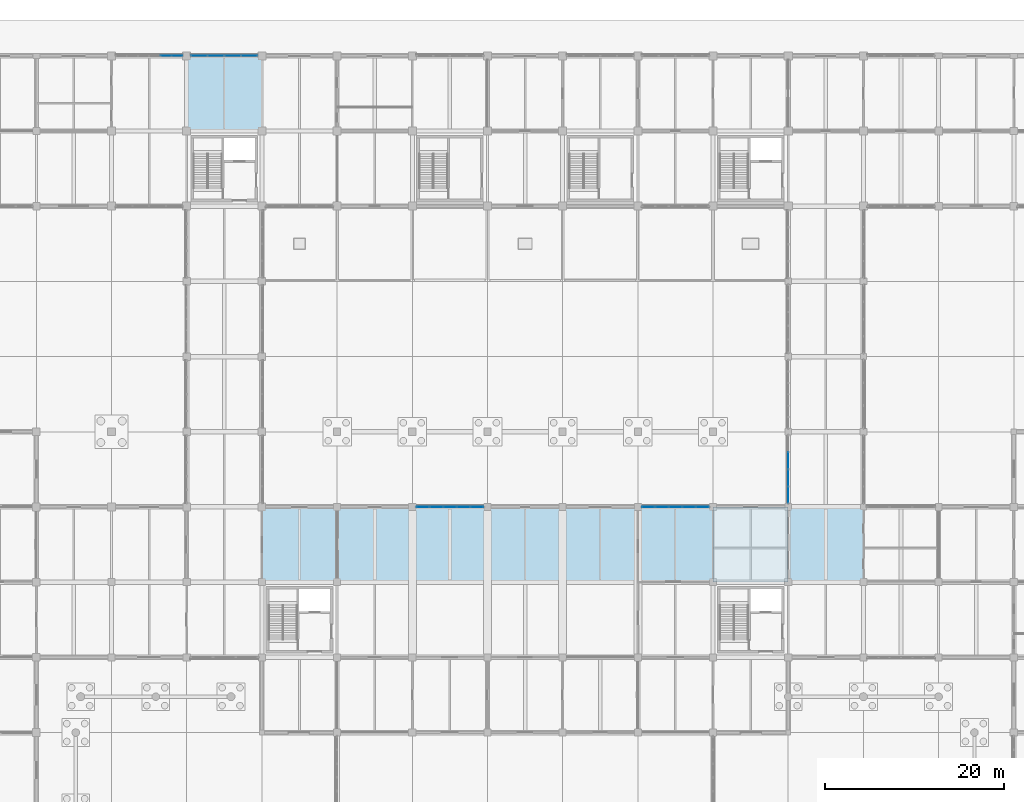
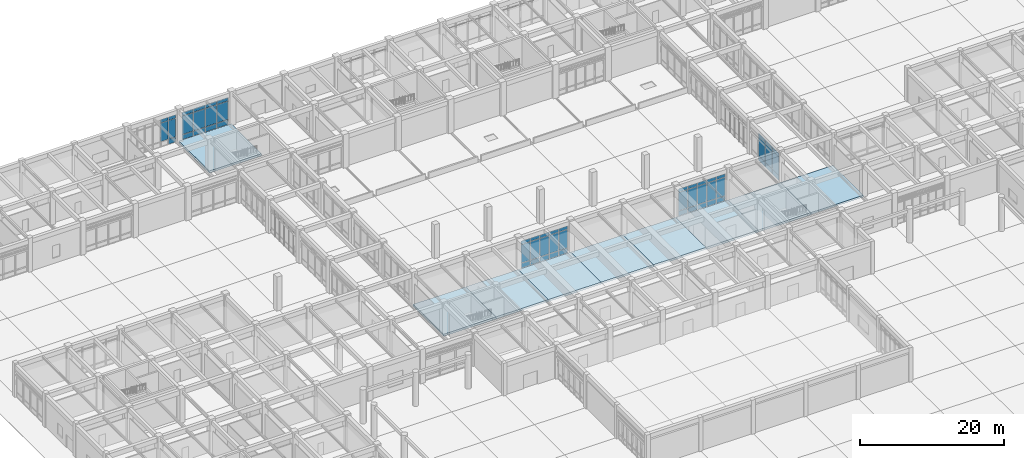
# One storey, part 56 of 91: 56 plates, 9 slabs, 5 elements without a shape of their own.
"""IFC4 building model written with IfcOpenShell, lengths in metres."""

import ifcopenshell
import ifcopenshell.guid

model = None  # the IFC model being written
_history = None  # IfcOwnerHistory: only IFC2X3 demands one
_inside = {}  # id of a spatial element -> (the spatial element, [elements in it])
_under = {}  # id of a project, library or spatial element -> (it, [spatial elements below it])
_declared = {}  # id of a project -> (the project, [libraries it declares])
_typed = {}  # id of a type object -> (the type object, [elements of that type])
_made_of = {}  # id of a material, layer set ... -> (it, [elements and type objects made of it])


def new_model(schema):
    """Start an empty IFC model of exactly this schema.

    Asked for "IFC4X3", IfcOpenShell would pick the latest addendum, in which some entities
    have other attributes; the version numbers below select the first issue.
    IFC2X3 requires an IfcOwnerHistory on every rooted entity: one is made here for all.
    """
    global model, _history
    if schema == "IFC4X3":
        model = ifcopenshell.file(schema_version=(4, 3, 0, 0))
    else:
        model = ifcopenshell.file(schema=schema)
    _inside.clear()
    _under.clear()
    _declared.clear()
    _typed.clear()
    _made_of.clear()
    _history = None
    if model.schema == "IFC2X3":
        org = make("IfcOrganization", Name="unknown")
        user = make(
            "IfcPersonAndOrganization",
            ThePerson=make("IfcPerson", FamilyName="unknown"),
            TheOrganization=org,
        )
        app = make(
            "IfcApplication",
            ApplicationDeveloper=org,
            Version="unknown",
            ApplicationFullName="unknown",
            ApplicationIdentifier="unknown",
        )
        _history = make(
            "IfcOwnerHistory",
            OwningUser=user,
            OwningApplication=app,
            ChangeAction="ADDED",
            CreationDate=0,
        )
    return model


def make(cls, **values):
    """One entity of the class cls with the attributes given. An attribute that is None is left unset."""
    return model.create_entity(
        cls, **{name: value for name, value in values.items() if value is not None}
    )


def rooted(cls, **values):
    """An entity with a GlobalId (a new one), such as an element, a storey or a relation."""
    return make(cls, GlobalId=ifcopenshell.guid.new(), OwnerHistory=_history, **values)


def si_unit(unit_type, name, prefix=None):
    """IfcSIUnit, for example si_unit("LENGTHUNIT", "METRE", prefix="MILLI")."""
    return make("IfcSIUnit", UnitType=unit_type, Prefix=prefix, Name=name)


def assignment(units):
    """IfcUnitAssignment: the units of a project."""
    return None if units is None else make("IfcUnitAssignment", Units=units)


def point(xyz):
    """IfcCartesianPoint."""
    return None if xyz is None else make("IfcCartesianPoint", Coordinates=xyz)


def direction(xyz):
    """IfcDirection."""
    return None if xyz is None else make("IfcDirection", DirectionRatios=xyz)


def frame(location, z_axis=None, x_axis=None):
    """IfcAxis2Placement3D, a coordinate frame: its origin and axes. An axis left out is left unset."""
    return make(
        "IfcAxis2Placement3D",
        Location=point(location),
        Axis=direction(z_axis),
        RefDirection=direction(x_axis),
    )


def frame_2d(location, x_axis=None):
    """IfcAxis2Placement2D, a coordinate frame in the plane: its origin and x axis."""
    return make(
        "IfcAxis2Placement2D", Location=point(location), RefDirection=direction(x_axis)
    )


def origin():
    """The frame at (0, 0, 0) with its axes left unset."""
    return frame((0.0, 0.0, 0.0))


def origin_2d():
    """The frame at (0, 0) in the plane with its x axis left unset."""
    return frame_2d((0.0, 0.0))


def place(relative_to, where):
    """IfcLocalPlacement: puts the frame where relative to a parent placement (None: the world)."""
    return make(
        "IfcLocalPlacement", PlacementRelTo=relative_to, RelativePlacement=where
    )


def context(
    kind, dimensions, precision=None, world=None, true_north=None, identifier=None
):
    """IfcGeometricRepresentationContext, for example the 3D "Model" context."""
    return make(
        "IfcGeometricRepresentationContext",
        ContextIdentifier=identifier,
        ContextType=kind,
        CoordinateSpaceDimension=dimensions,
        Precision=precision,
        WorldCoordinateSystem=world,
        TrueNorth=true_north,
    )


def subcontext(parent, identifier, kind, view, scale=None):
    """IfcGeometricRepresentationSubContext, for example "Body" below "Model"."""
    return make(
        "IfcGeometricRepresentationSubContext",
        ContextIdentifier=identifier,
        ContextType=kind,
        ParentContext=parent,
        TargetScale=scale,
        TargetView=view,
    )


def project(units=None, contexts=None):
    """IfcProject with its units and contexts."""
    return rooted(
        "IfcProject",
        Name="project",
        RepresentationContexts=contexts,
        UnitsInContext=assignment(units),
    )


def spatial(cls, under=None, at=None, **own):
    """A site, building, storey or space (cls), placed at a placement, below another one or the project."""
    s = rooted(cls, ObjectPlacement=at, **own)
    if under is not None:
        _under.setdefault(under.id(), (under, []))[1].append(s)
    return s


def polyline(points):
    """IfcPolyline through the points."""
    return make("IfcPolyline", Points=[point(p) for p in points])


def profile(cls, at=None, kind="AREA", **sizes):
    """A parametric profile (cls). Its sizes go by their IFC names, for example OverallWidth=200.0."""
    return make(cls, ProfileType=kind, Position=at, **sizes)


def rectangle(**sizes):
    """IfcRectangleProfileDef."""
    return profile("IfcRectangleProfileDef", **sizes)


def outline(outer, holes=None, kind="AREA"):
    """IfcArbitraryClosedProfileDef: a profile drawn as a closed curve; with holes, ...WithVoids."""
    if holes is None:
        return make("IfcArbitraryClosedProfileDef", ProfileType=kind, OuterCurve=outer)
    return make(
        "IfcArbitraryProfileDefWithVoids",
        ProfileType=kind,
        OuterCurve=outer,
        InnerCurves=holes,
    )


def extrude(swept, where, along, depth):
    """IfcExtrudedAreaSolid: the profile swept, set in the frame where, extruded along a direction by depth."""
    return make(
        "IfcExtrudedAreaSolid",
        SweptArea=swept,
        Position=where,
        ExtrudedDirection=direction(along),
        Depth=depth,
    )


def shape(context_of_items, identifier, shape_type, items):
    """IfcShapeRepresentation: the items that make up one representation, for example the "Body"."""
    return make(
        "IfcShapeRepresentation",
        ContextOfItems=context_of_items,
        RepresentationIdentifier=identifier,
        RepresentationType=shape_type,
        Items=items,
    )


def material(Name=None, Category=None):
    """IfcMaterial."""
    return make("IfcMaterial", Name=Name, Category=Category)


def layer(
    of_material, thickness, ventilated=None, Name=None, Category=None, Priority=None
):
    """IfcMaterialLayer: one layer of a wall or slab, of a material (None: an air gap)."""
    return make(
        "IfcMaterialLayer",
        Material=of_material,
        LayerThickness=thickness,
        IsVentilated=ventilated,
        Name=Name,
        Category=Category,
        Priority=Priority,
    )


def layer_set(layers, Name=None):
    """IfcMaterialLayerSet."""
    return make("IfcMaterialLayerSet", MaterialLayers=layers, LayerSetName=Name)


def made_of(thing, what):
    """Note that an element or type object is made of a material, layer set ...; save() writes the relation."""
    if what is not None:
        _made_of.setdefault(what.id(), (what, []))[1].append(thing)
    return thing


def type_object(cls, material=None, **own):
    """A type object (cls), such as IfcWallType, which elements share."""
    return made_of(rooted(cls, **own), material)


def element(
    cls,
    number,
    at=None,
    inside=None,
    cuts=None,
    type_object=None,
    material=None,
    context=None,
    identifier="Body",
    shape_type=None,
    held_by="IfcProductDefinitionShape",
    body=None,
    shapes=None,
    **own,
):
    """One element of the class cls, such as IfcWall. Its Tag is "e" and its number.

    at: its placement. inside: the storey or other place that contains it. cuts: it is an
    opening in that element (IfcRelVoidsElement). A single representation is given by context,
    identifier, shape_type and body (its items); several are given by shapes. held_by: the class
    of the entity that holds the representations. save() writes the other relations.
    """
    e = rooted(cls, Tag="e%d" % number, ObjectPlacement=at, **own)
    if body is not None:
        shapes = [shape(context, identifier, shape_type, body)]
    if shapes is not None:
        e.Representation = make(held_by, Representations=shapes)
    if inside is not None:
        _inside.setdefault(inside.id(), (inside, []))[1].append(e)
    if cuts is not None:
        rooted(
            "IfcRelVoidsElement", RelatingBuildingElement=cuts, RelatedOpeningElement=e
        )
    if type_object is not None:
        _typed.setdefault(type_object.id(), (type_object, []))[1].append(e)
    return made_of(e, material)


def aggregate(whole, parts):
    """IfcRelAggregates: a whole, such as a stair, and the parts it consists of."""
    return rooted("IfcRelAggregates", RelatingObject=whole, RelatedObjects=parts)


def save(model, path):
    """Write the relations noted so far, then the file.

    IfcRelAggregates (storeys below a building ...), IfcRelContainedInSpatialStructure (elements
    in a storey), IfcRelDefinesByType, IfcRelAssociatesMaterial and IfcRelDeclares: one each for
    every whole, place, type object, material and project.
    """
    for whole, parts in _under.values():
        aggregate(whole, parts)
    for where, things in _inside.values():
        rooted(
            "IfcRelContainedInSpatialStructure",
            RelatedElements=things,
            RelatingStructure=where,
        )
    for kind, things in _typed.values():
        rooted("IfcRelDefinesByType", RelatedObjects=things, RelatingType=kind)
    for what, things in _made_of.values():
        rooted("IfcRelAssociatesMaterial", RelatedObjects=things, RelatingMaterial=what)
    for by, libraries in _declared.values():
        rooted("IfcRelDeclares", RelatingContext=by, RelatedDefinitions=libraries)
    model.write(path)


model = new_model("IFC4")

# Units and contexts
model_context = context("Model", 3, precision=1e-05, world=origin(), true_north=direction((0.0, 1.0)))
body_context = subcontext(model_context, "Body", "Model", "MODEL_VIEW")
ifc_project = project(units=[si_unit("LENGTHUNIT", "METRE"), si_unit("AREAUNIT", "SQUARE_METRE"), si_unit("VOLUMEUNIT", "CUBIC_METRE"), si_unit("PLANEANGLEUNIT", "RADIAN"), si_unit("MASSUNIT", "GRAM", prefix="KILO")], contexts=[model_context])

# Site, building, storey
site_placement = place(None, origin())
site = spatial("IfcSite", under=ifc_project, at=site_placement, CompositionType="ELEMENT")
building_placement = place(site_placement, origin())
building = spatial("IfcBuilding", under=site, at=building_placement, Name="Porcellanite Civic Hall", CompositionType="ELEMENT")
storey_placement = place(building_placement, origin())
storey = spatial("IfcBuildingStorey", under=building, at=storey_placement, Name="L00", CompositionType="ELEMENT", Elevation=0.0)

# Curtain wall, plates
ifc_material_1 = material(Name="Anodised aluminium and solar laminated glass", Category="aluminium")
ifc_layer_1 = layer(ifc_material_1, 0.179931640625)
ifc_layer_set_1 = layer_set([ifc_layer_1], Name="Anodised aluminium and solar laminated glass")
curtain_wall_type_1 = type_object("IfcCurtainWallType", Name="CW-SYS01", PredefinedType="NOTDEFINED", material=ifc_layer_set_1)
curtain_wall_1_placement = place(storey_placement, origin())
curtain_wall_1 = element("IfcCurtainWall", 1, at=curtain_wall_1_placement, inside=storey, type_object=curtain_wall_type_1, Name="Curtain wall CW-029", PredefinedType="NOTDEFINED")
ifc_material_2 = material(Name="Cyclone laminated solar-control low-E glass", Category="glass")
ifc_layer_2 = layer(ifc_material_2, 0.02392578125)
ifc_layer_set_2 = layer_set([ifc_layer_2], Name="Cyclone laminated solar-control low-E glass")
plate_type_1 = type_object("IfcPlateType", Name="CWP-01", PredefinedType="CURTAIN_PANEL", material=ifc_layer_set_2)
plate_1_placement = place(storey_placement, frame((76.78076171875, 67.199951171875, 0.070068359375), z_axis=(0.0, 0.0, 1.0), x_axis=(1.0, 0.0, 0.0)))
plate_1 = element("IfcPlate", 2, at=plate_1_placement, type_object=plate_type_1, Name="CW-029 panel 1.1", PredefinedType="CURTAIN_PANEL", context=body_context, shape_type="SweptSolid", body=[
    extrude(rectangle(XDim=1.399658203125, YDim=0.02392578125, at=origin_2d()), origin(), (0.0, 0.0, 1.0), 0.794921875),
])
plate_2_placement = place(storey_placement, frame((76.78076171875, 67.199951171875, 0.93505859375), z_axis=(0.0, 0.0, 1.0), x_axis=(1.0, 0.0, 0.0)))
plate_2 = element("IfcPlate", 3, at=plate_2_placement, type_object=plate_type_1, Name="CW-029 panel 1.2", PredefinedType="CURTAIN_PANEL", context=body_context, shape_type="SweptSolid", body=[
    extrude(rectangle(XDim=1.399658203125, YDim=0.02392578125, at=origin_2d()), origin(), (0.0, 0.0, 1.0), 3.080078125),
])
plate_3_placement = place(storey_placement, frame((76.78076171875, 67.199951171875, 4.0849609375), z_axis=(0.0, 0.0, 1.0), x_axis=(1.0, 0.0, 0.0)))
plate_3 = element("IfcPlate", 4, at=plate_3_placement, type_object=plate_type_1, Name="CW-029 panel 1.3", PredefinedType="CURTAIN_PANEL", context=body_context, shape_type="SweptSolid", body=[
    extrude(rectangle(XDim=1.399658203125, YDim=0.02392578125, at=origin_2d()), origin(), (0.0, 0.0, 1.0), 0.544921875),
])
plate_4_placement = place(storey_placement, frame((78.280517578125, 67.199951171875, 0.070068359375), z_axis=(0.0, 0.0, 1.0), x_axis=(1.0, 0.0, 0.0)))
plate_4 = element("IfcPlate", 5, at=plate_4_placement, type_object=plate_type_1, Name="CW-029 panel 2.1", PredefinedType="CURTAIN_PANEL", context=body_context, shape_type="SweptSolid", body=[
    extrude(rectangle(XDim=1.439697265625, YDim=0.02392578125, at=origin_2d()), origin(), (0.0, 0.0, 1.0), 0.794921875),
])
plate_5_placement = place(storey_placement, frame((78.280517578125, 67.199951171875, 0.93505859375), z_axis=(0.0, 0.0, 1.0), x_axis=(1.0, 0.0, 0.0)))
plate_5 = element("IfcPlate", 6, at=plate_5_placement, type_object=plate_type_1, Name="CW-029 panel 2.2", PredefinedType="CURTAIN_PANEL", context=body_context, shape_type="SweptSolid", body=[
    extrude(rectangle(XDim=1.439697265625, YDim=0.02392578125, at=origin_2d()), origin(), (0.0, 0.0, 1.0), 3.080078125),
])
plate_6_placement = place(storey_placement, frame((78.280517578125, 67.199951171875, 4.0849609375), z_axis=(0.0, 0.0, 1.0), x_axis=(1.0, 0.0, 0.0)))
plate_6 = element("IfcPlate", 7, at=plate_6_placement, type_object=plate_type_1, Name="CW-029 panel 2.3", PredefinedType="CURTAIN_PANEL", context=body_context, shape_type="SweptSolid", body=[
    extrude(rectangle(XDim=1.439697265625, YDim=0.02392578125, at=origin_2d()), origin(), (0.0, 0.0, 1.0), 0.544921875),
])
plate_7_placement = place(storey_placement, frame((79.800048828125, 67.199951171875, 0.070068359375), z_axis=(0.0, 0.0, 1.0), x_axis=(1.0, 0.0, 0.0)))
plate_7 = element("IfcPlate", 8, at=plate_7_placement, type_object=plate_type_1, Name="CW-029 panel 3.1", PredefinedType="CURTAIN_PANEL", context=body_context, shape_type="SweptSolid", body=[
    extrude(rectangle(XDim=1.439697265625, YDim=0.02392578125, at=origin_2d()), origin(), (0.0, 0.0, 1.0), 0.794921875),
])
plate_8_placement = place(storey_placement, frame((79.800048828125, 67.199951171875, 0.93505859375), z_axis=(0.0, 0.0, 1.0), x_axis=(1.0, 0.0, 0.0)))
plate_8 = element("IfcPlate", 9, at=plate_8_placement, type_object=plate_type_1, Name="CW-029 panel 3.2", PredefinedType="CURTAIN_PANEL", context=body_context, shape_type="SweptSolid", body=[
    extrude(rectangle(XDim=1.439697265625, YDim=0.02392578125, at=origin_2d()), origin(), (0.0, 0.0, 1.0), 3.080078125),
])
plate_9_placement = place(storey_placement, frame((79.800048828125, 67.199951171875, 4.0849609375), z_axis=(0.0, 0.0, 1.0), x_axis=(1.0, 0.0, 0.0)))
plate_9 = element("IfcPlate", 10, at=plate_9_placement, type_object=plate_type_1, Name="CW-029 panel 3.3", PredefinedType="CURTAIN_PANEL", context=body_context, shape_type="SweptSolid", body=[
    extrude(rectangle(XDim=1.439697265625, YDim=0.02392578125, at=origin_2d()), origin(), (0.0, 0.0, 1.0), 0.544921875),
])
plate_10_placement = place(storey_placement, frame((81.319580078125, 67.199951171875, 0.070068359375), z_axis=(0.0, 0.0, 1.0), x_axis=(1.0, 0.0, 0.0)))
plate_10 = element("IfcPlate", 11, at=plate_10_placement, type_object=plate_type_1, Name="CW-029 panel 4.1", PredefinedType="CURTAIN_PANEL", context=body_context, shape_type="SweptSolid", body=[
    extrude(rectangle(XDim=1.439697265625, YDim=0.02392578125, at=origin_2d()), origin(), (0.0, 0.0, 1.0), 0.794921875),
])
plate_11_placement = place(storey_placement, frame((81.319580078125, 67.199951171875, 0.93505859375), z_axis=(0.0, 0.0, 1.0), x_axis=(1.0, 0.0, 0.0)))
plate_11 = element("IfcPlate", 12, at=plate_11_placement, type_object=plate_type_1, Name="CW-029 panel 4.2", PredefinedType="CURTAIN_PANEL", context=body_context, shape_type="SweptSolid", body=[
    extrude(rectangle(XDim=1.439697265625, YDim=0.02392578125, at=origin_2d()), origin(), (0.0, 0.0, 1.0), 3.080078125),
])
plate_12_placement = place(storey_placement, frame((81.319580078125, 67.199951171875, 4.0849609375), z_axis=(0.0, 0.0, 1.0), x_axis=(1.0, 0.0, 0.0)))
plate_12 = element("IfcPlate", 13, at=plate_12_placement, type_object=plate_type_1, Name="CW-029 panel 4.3", PredefinedType="CURTAIN_PANEL", context=body_context, shape_type="SweptSolid", body=[
    extrude(rectangle(XDim=1.439697265625, YDim=0.02392578125, at=origin_2d()), origin(), (0.0, 0.0, 1.0), 0.544921875),
])
plate_13_placement = place(storey_placement, frame((82.819091796875, 67.199951171875, 0.070068359375), z_axis=(0.0, 0.0, 1.0), x_axis=(1.0, 0.0, 0.0)))
plate_13 = element("IfcPlate", 14, at=plate_13_placement, type_object=plate_type_1, Name="CW-029 panel 5.1", PredefinedType="CURTAIN_PANEL", context=body_context, shape_type="SweptSolid", body=[
    extrude(rectangle(XDim=1.399658203125, YDim=0.02392578125, at=origin_2d()), origin(), (0.0, 0.0, 1.0), 0.794921875),
])
plate_14_placement = place(storey_placement, frame((82.819091796875, 67.199951171875, 0.93505859375), z_axis=(0.0, 0.0, 1.0), x_axis=(1.0, 0.0, 0.0)))
plate_14 = element("IfcPlate", 15, at=plate_14_placement, type_object=plate_type_1, Name="CW-029 panel 5.2", PredefinedType="CURTAIN_PANEL", context=body_context, shape_type="SweptSolid", body=[
    extrude(rectangle(XDim=1.399658203125, YDim=0.02392578125, at=origin_2d()), origin(), (0.0, 0.0, 1.0), 3.080078125),
])
plate_15_placement = place(storey_placement, frame((82.819091796875, 67.199951171875, 4.0849609375), z_axis=(0.0, 0.0, 1.0), x_axis=(1.0, 0.0, 0.0)))
plate_15 = element("IfcPlate", 16, at=plate_15_placement, type_object=plate_type_1, Name="CW-029 panel 5.3", PredefinedType="CURTAIN_PANEL", context=body_context, shape_type="SweptSolid", body=[
    extrude(rectangle(XDim=1.399658203125, YDim=0.02392578125, at=origin_2d()), origin(), (0.0, 0.0, 1.0), 0.544921875),
])
aggregate(curtain_wall_1, [plate_1, plate_2, plate_3, plate_4, plate_5, plate_6, plate_7, plate_8, plate_9, plate_10, plate_11, plate_12, plate_13, plate_14, plate_15])

curtain_wall_2_placement = place(storey_placement, origin())
curtain_wall_2 = element("IfcCurtainWall", 17, at=curtain_wall_2_placement, inside=storey, type_object=curtain_wall_type_1, Name="Curtain wall CW-034", PredefinedType="NOTDEFINED")
plate_16_placement = place(storey_placement, frame((101.980712890625, 67.199951171875, 0.070068359375), z_axis=(0.0, 0.0, 1.0), x_axis=(1.0, 0.0, 0.0)))
plate_16 = element("IfcPlate", 18, at=plate_16_placement, type_object=plate_type_1, Name="CW-034 panel 1.1", PredefinedType="CURTAIN_PANEL", context=body_context, shape_type="SweptSolid", body=[
    extrude(rectangle(XDim=1.399658203125, YDim=0.02392578125, at=origin_2d()), origin(), (0.0, 0.0, 1.0), 0.794921875),
])
plate_17_placement = place(storey_placement, frame((101.980712890625, 67.199951171875, 0.93505859375), z_axis=(0.0, 0.0, 1.0), x_axis=(1.0, 0.0, 0.0)))
plate_17 = element("IfcPlate", 19, at=plate_17_placement, type_object=plate_type_1, Name="CW-034 panel 1.2", PredefinedType="CURTAIN_PANEL", context=body_context, shape_type="SweptSolid", body=[
    extrude(rectangle(XDim=1.399658203125, YDim=0.02392578125, at=origin_2d()), origin(), (0.0, 0.0, 1.0), 3.080078125),
])
plate_18_placement = place(storey_placement, frame((101.980712890625, 67.199951171875, 4.0849609375), z_axis=(0.0, 0.0, 1.0), x_axis=(1.0, 0.0, 0.0)))
plate_18 = element("IfcPlate", 20, at=plate_18_placement, type_object=plate_type_1, Name="CW-034 panel 1.3", PredefinedType="CURTAIN_PANEL", context=body_context, shape_type="SweptSolid", body=[
    extrude(rectangle(XDim=1.399658203125, YDim=0.02392578125, at=origin_2d()), origin(), (0.0, 0.0, 1.0), 0.544921875),
])
plate_19_placement = place(storey_placement, frame((103.48046875, 67.199951171875, 0.070068359375), z_axis=(0.0, 0.0, 1.0), x_axis=(1.0, 0.0, 0.0)))
plate_19 = element("IfcPlate", 21, at=plate_19_placement, type_object=plate_type_1, Name="CW-034 panel 2.1", PredefinedType="CURTAIN_PANEL", context=body_context, shape_type="SweptSolid", body=[
    extrude(rectangle(XDim=1.439697265625, YDim=0.02392578125, at=origin_2d()), origin(), (0.0, 0.0, 1.0), 0.794921875),
])
plate_20_placement = place(storey_placement, frame((103.48046875, 67.199951171875, 0.93505859375), z_axis=(0.0, 0.0, 1.0), x_axis=(1.0, 0.0, 0.0)))
plate_20 = element("IfcPlate", 22, at=plate_20_placement, type_object=plate_type_1, Name="CW-034 panel 2.2", PredefinedType="CURTAIN_PANEL", context=body_context, shape_type="SweptSolid", body=[
    extrude(rectangle(XDim=1.439697265625, YDim=0.02392578125, at=origin_2d()), origin(), (0.0, 0.0, 1.0), 3.080078125),
])
plate_21_placement = place(storey_placement, frame((103.48046875, 67.199951171875, 4.0849609375), z_axis=(0.0, 0.0, 1.0), x_axis=(1.0, 0.0, 0.0)))
plate_21 = element("IfcPlate", 23, at=plate_21_placement, type_object=plate_type_1, Name="CW-034 panel 2.3", PredefinedType="CURTAIN_PANEL", context=body_context, shape_type="SweptSolid", body=[
    extrude(rectangle(XDim=1.439697265625, YDim=0.02392578125, at=origin_2d()), origin(), (0.0, 0.0, 1.0), 0.544921875),
])
plate_22_placement = place(storey_placement, frame((105.0, 67.199951171875, 0.070068359375), z_axis=(0.0, 0.0, 1.0), x_axis=(1.0, 0.0, 0.0)))
plate_22 = element("IfcPlate", 24, at=plate_22_placement, type_object=plate_type_1, Name="CW-034 panel 3.1", PredefinedType="CURTAIN_PANEL", context=body_context, shape_type="SweptSolid", body=[
    extrude(rectangle(XDim=1.439697265625, YDim=0.02392578125, at=origin_2d()), origin(), (0.0, 0.0, 1.0), 0.794921875),
])
plate_23_placement = place(storey_placement, frame((105.0, 67.199951171875, 0.93505859375), z_axis=(0.0, 0.0, 1.0), x_axis=(1.0, 0.0, 0.0)))
plate_23 = element("IfcPlate", 25, at=plate_23_placement, type_object=plate_type_1, Name="CW-034 panel 3.2", PredefinedType="CURTAIN_PANEL", context=body_context, shape_type="SweptSolid", body=[
    extrude(rectangle(XDim=1.439697265625, YDim=0.02392578125, at=origin_2d()), origin(), (0.0, 0.0, 1.0), 3.080078125),
])
plate_24_placement = place(storey_placement, frame((105.0, 67.199951171875, 4.0849609375), z_axis=(0.0, 0.0, 1.0), x_axis=(1.0, 0.0, 0.0)))
plate_24 = element("IfcPlate", 26, at=plate_24_placement, type_object=plate_type_1, Name="CW-034 panel 3.3", PredefinedType="CURTAIN_PANEL", context=body_context, shape_type="SweptSolid", body=[
    extrude(rectangle(XDim=1.439697265625, YDim=0.02392578125, at=origin_2d()), origin(), (0.0, 0.0, 1.0), 0.544921875),
])
plate_25_placement = place(storey_placement, frame((106.51953125, 67.199951171875, 0.070068359375), z_axis=(0.0, 0.0, 1.0), x_axis=(1.0, 0.0, 0.0)))
plate_25 = element("IfcPlate", 27, at=plate_25_placement, type_object=plate_type_1, Name="CW-034 panel 4.1", PredefinedType="CURTAIN_PANEL", context=body_context, shape_type="SweptSolid", body=[
    extrude(rectangle(XDim=1.439697265625, YDim=0.02392578125, at=origin_2d()), origin(), (0.0, 0.0, 1.0), 0.794921875),
])
plate_26_placement = place(storey_placement, frame((106.51953125, 67.199951171875, 0.93505859375), z_axis=(0.0, 0.0, 1.0), x_axis=(1.0, 0.0, 0.0)))
plate_26 = element("IfcPlate", 28, at=plate_26_placement, type_object=plate_type_1, Name="CW-034 panel 4.2", PredefinedType="CURTAIN_PANEL", context=body_context, shape_type="SweptSolid", body=[
    extrude(rectangle(XDim=1.439697265625, YDim=0.02392578125, at=origin_2d()), origin(), (0.0, 0.0, 1.0), 3.080078125),
])
plate_27_placement = place(storey_placement, frame((106.51953125, 67.199951171875, 4.0849609375), z_axis=(0.0, 0.0, 1.0), x_axis=(1.0, 0.0, 0.0)))
plate_27 = element("IfcPlate", 29, at=plate_27_placement, type_object=plate_type_1, Name="CW-034 panel 4.3", PredefinedType="CURTAIN_PANEL", context=body_context, shape_type="SweptSolid", body=[
    extrude(rectangle(XDim=1.439697265625, YDim=0.02392578125, at=origin_2d()), origin(), (0.0, 0.0, 1.0), 0.544921875),
])
plate_28_placement = place(storey_placement, frame((108.019287109375, 67.199951171875, 0.070068359375), z_axis=(0.0, 0.0, 1.0), x_axis=(1.0, 0.0, 0.0)))
plate_28 = element("IfcPlate", 30, at=plate_28_placement, type_object=plate_type_1, Name="CW-034 panel 5.1", PredefinedType="CURTAIN_PANEL", context=body_context, shape_type="SweptSolid", body=[
    extrude(rectangle(XDim=1.399658203125, YDim=0.02392578125, at=origin_2d()), origin(), (0.0, 0.0, 1.0), 0.794921875),
])
plate_29_placement = place(storey_placement, frame((108.019287109375, 67.199951171875, 0.93505859375), z_axis=(0.0, 0.0, 1.0), x_axis=(1.0, 0.0, 0.0)))
plate_29 = element("IfcPlate", 31, at=plate_29_placement, type_object=plate_type_1, Name="CW-034 panel 5.2", PredefinedType="CURTAIN_PANEL", context=body_context, shape_type="SweptSolid", body=[
    extrude(rectangle(XDim=1.399658203125, YDim=0.02392578125, at=origin_2d()), origin(), (0.0, 0.0, 1.0), 3.080078125),
])
plate_30_placement = place(storey_placement, frame((108.019287109375, 67.199951171875, 4.0849609375), z_axis=(0.0, 0.0, 1.0), x_axis=(1.0, 0.0, 0.0)))
plate_30 = element("IfcPlate", 32, at=plate_30_placement, type_object=plate_type_1, Name="CW-034 panel 5.3", PredefinedType="CURTAIN_PANEL", context=body_context, shape_type="SweptSolid", body=[
    extrude(rectangle(XDim=1.399658203125, YDim=0.02392578125, at=origin_2d()), origin(), (0.0, 0.0, 1.0), 0.544921875),
])
aggregate(curtain_wall_2, [plate_16, plate_17, plate_18, plate_19, plate_20, plate_21, plate_22, plate_23, plate_24, plate_25, plate_26, plate_27, plate_28, plate_29, plate_30])

ifc_material_3 = material(Name="Anodised aluminium and solar laminated glass", Category="aluminium")
ifc_layer_3 = layer(ifc_material_3, 0.179931640625)
ifc_layer_set_3 = layer_set([ifc_layer_3], Name="Anodised aluminium and solar laminated glass")
curtain_wall_type_2 = type_object("IfcCurtainWallType", Name="CW-SYS07", PredefinedType="NOTDEFINED", material=ifc_layer_set_3)
curtain_wall_3_placement = place(storey_placement, origin())
curtain_wall_3 = element("IfcCurtainWall", 33, at=curtain_wall_3_placement, inside=storey, type_object=curtain_wall_type_2, Name="Curtain wall CW-015", PredefinedType="NOTDEFINED")
ifc_material_4 = material(Name="Cyclone laminated solar-control low-E glass", Category="glass")
ifc_layer_4 = layer(ifc_material_4, 0.033935546875)
ifc_layer_set_4 = layer_set([ifc_layer_4], Name="Cyclone laminated solar-control low-E glass")
plate_type_2 = type_object("IfcPlateType", Name="CWP-06", PredefinedType="CURTAIN_PANEL", material=ifc_layer_set_4)
plate_31_placement = place(storey_placement, frame((48.074462890625, 117.60009765625, 0.925048828125), z_axis=(0.0, 0.0, 1.0), x_axis=(1.0, 0.0, 0.0)))
plate_31 = element("IfcPlate", 34, at=plate_31_placement, type_object=plate_type_2, Name="CW-015 panel 5.2", PredefinedType="CURTAIN_PANEL", context=body_context, shape_type="SweptSolid", body=[
    extrude(rectangle(XDim=1.189697265625, YDim=0.033935546875, at=origin_2d()), origin(), (0.0, 0.0, 1.0), 3.10009765625),
])
plate_32_placement = place(storey_placement, frame((48.074462890625, 117.60009765625, 4.0751953125), z_axis=(0.0, 0.0, 1.0), x_axis=(1.0, 0.0, 0.0)))
plate_32 = element("IfcPlate", 35, at=plate_32_placement, type_object=plate_type_2, Name="CW-015 panel 5.3", PredefinedType="CURTAIN_PANEL", context=body_context, shape_type="SweptSolid", body=[
    extrude(rectangle(XDim=1.189697265625, YDim=0.033935546875, at=origin_2d()), origin(), (0.0, 0.0, 1.0), 0.574951171875),
])
plate_33_placement = place(storey_placement, frame((49.30908203125, 117.60009765625, 0.0498046875), z_axis=(0.0, 0.0, 1.0), x_axis=(1.0, 0.0, 0.0)))
plate_33 = element("IfcPlate", 36, at=plate_33_placement, type_object=plate_type_2, Name="CW-015 panel 6.1", PredefinedType="CURTAIN_PANEL", context=body_context, shape_type="SweptSolid", body=[
    extrude(rectangle(XDim=1.15966796875, YDim=0.033935546875, at=origin_2d()), origin(), (0.0, 0.0, 1.0), 0.824951171875),
])
plate_34_placement = place(storey_placement, frame((49.30908203125, 117.60009765625, 0.925048828125), z_axis=(0.0, 0.0, 1.0), x_axis=(1.0, 0.0, 0.0)))
plate_34 = element("IfcPlate", 37, at=plate_34_placement, type_object=plate_type_2, Name="CW-015 panel 6.2", PredefinedType="CURTAIN_PANEL", context=body_context, shape_type="SweptSolid", body=[
    extrude(rectangle(XDim=1.15966796875, YDim=0.033935546875, at=origin_2d()), origin(), (0.0, 0.0, 1.0), 3.10009765625),
])
plate_35_placement = place(storey_placement, frame((49.30908203125, 117.60009765625, 4.0751953125), z_axis=(0.0, 0.0, 1.0), x_axis=(1.0, 0.0, 0.0)))
plate_35 = element("IfcPlate", 38, at=plate_35_placement, type_object=plate_type_2, Name="CW-015 panel 6.3", PredefinedType="CURTAIN_PANEL", context=body_context, shape_type="SweptSolid", body=[
    extrude(rectangle(XDim=1.15966796875, YDim=0.033935546875, at=origin_2d()), origin(), (0.0, 0.0, 1.0), 0.574951171875),
])
aggregate(curtain_wall_3, [plate_31, plate_32, plate_33, plate_34, plate_35])

ifc_material_5 = material(Name="Anodised aluminium and solar laminated glass", Category="aluminium")
ifc_layer_5 = layer(ifc_material_5, 0.179931640625)
ifc_layer_set_5 = layer_set([ifc_layer_5], Name="Anodised aluminium and solar laminated glass")
curtain_wall_type_3 = type_object("IfcCurtainWallType", Name="CW-SYS04", PredefinedType="NOTDEFINED", material=ifc_layer_set_5)
curtain_wall_4_placement = place(storey_placement, origin())
curtain_wall_4 = element("IfcCurtainWall", 39, at=curtain_wall_4_placement, inside=storey, type_object=curtain_wall_type_3, Name="Curtain wall CW-025", PredefinedType="NOTDEFINED")
plate_36_placement = place(storey_placement, frame((51.806884765625, 117.60009765625, 0.05517578125), z_axis=(0.0, 0.0, 1.0), x_axis=(1.0, 0.0, 0.0)))
plate_36 = element("IfcPlate", 40, at=plate_36_placement, type_object=plate_type_2, Name="CW-025 panel 1.1", PredefinedType="CURTAIN_PANEL", context=body_context, shape_type="SweptSolid", body=[
    extrude(rectangle(XDim=1.761962890625, YDim=0.033935546875, at=origin_2d()), origin(), (0.0, 0.0, 1.0), 0.8173828125),
])
plate_37_placement = place(storey_placement, frame((51.806884765625, 117.60009765625, 0.927734375), z_axis=(0.0, 0.0, 1.0), x_axis=(1.0, 0.0, 0.0)))
plate_37 = element("IfcPlate", 41, at=plate_37_placement, type_object=plate_type_2, Name="CW-025 panel 1.2", PredefinedType="CURTAIN_PANEL", context=body_context, shape_type="SweptSolid", body=[
    extrude(rectangle(XDim=1.761962890625, YDim=0.033935546875, at=origin_2d()), origin(), (0.0, 0.0, 1.0), 3.094970703125),
])
plate_38_placement = place(storey_placement, frame((51.806884765625, 117.60009765625, 4.07763671875), z_axis=(0.0, 0.0, 1.0), x_axis=(1.0, 0.0, 0.0)))
plate_38 = element("IfcPlate", 42, at=plate_38_placement, type_object=plate_type_2, Name="CW-025 panel 1.3", PredefinedType="CURTAIN_PANEL", context=body_context, shape_type="SweptSolid", body=[
    extrude(rectangle(XDim=1.761962890625, YDim=0.033935546875, at=origin_2d()), origin(), (0.0, 0.0, 1.0), 0.5673828125),
])
plate_39_placement = place(storey_placement, frame((53.662841796875, 117.60009765625, 0.05517578125), z_axis=(0.0, 0.0, 1.0), x_axis=(1.0, 0.0, 0.0)))
plate_39 = element("IfcPlate", 43, at=plate_39_placement, type_object=plate_type_2, Name="CW-025 panel 2.1", PredefinedType="CURTAIN_PANEL", context=body_context, shape_type="SweptSolid", body=[
    extrude(rectangle(XDim=1.799560546875, YDim=0.033935546875, at=origin_2d()), origin(), (0.0, 0.0, 1.0), 0.8173828125),
])
plate_40_placement = place(storey_placement, frame((53.662841796875, 117.60009765625, 0.927734375), z_axis=(0.0, 0.0, 1.0), x_axis=(1.0, 0.0, 0.0)))
plate_40 = element("IfcPlate", 44, at=plate_40_placement, type_object=plate_type_2, Name="CW-025 panel 2.2", PredefinedType="CURTAIN_PANEL", context=body_context, shape_type="SweptSolid", body=[
    extrude(rectangle(XDim=1.799560546875, YDim=0.033935546875, at=origin_2d()), origin(), (0.0, 0.0, 1.0), 3.094970703125),
])
plate_41_placement = place(storey_placement, frame((53.662841796875, 117.60009765625, 4.07763671875), z_axis=(0.0, 0.0, 1.0), x_axis=(1.0, 0.0, 0.0)))
plate_41 = element("IfcPlate", 45, at=plate_41_placement, type_object=plate_type_2, Name="CW-025 panel 2.3", PredefinedType="CURTAIN_PANEL", context=body_context, shape_type="SweptSolid", body=[
    extrude(rectangle(XDim=1.799560546875, YDim=0.033935546875, at=origin_2d()), origin(), (0.0, 0.0, 1.0), 0.5673828125),
])
plate_42_placement = place(storey_placement, frame((55.537353515625, 117.60009765625, 0.05517578125), z_axis=(0.0, 0.0, 1.0), x_axis=(1.0, 0.0, 0.0)))
plate_42 = element("IfcPlate", 46, at=plate_42_placement, type_object=plate_type_2, Name="CW-025 panel 3.1", PredefinedType="CURTAIN_PANEL", context=body_context, shape_type="SweptSolid", body=[
    extrude(rectangle(XDim=1.799560546875, YDim=0.033935546875, at=origin_2d()), origin(), (0.0, 0.0, 1.0), 0.8173828125),
])
plate_43_placement = place(storey_placement, frame((55.537353515625, 117.60009765625, 0.927734375), z_axis=(0.0, 0.0, 1.0), x_axis=(1.0, 0.0, 0.0)))
plate_43 = element("IfcPlate", 47, at=plate_43_placement, type_object=plate_type_2, Name="CW-025 panel 3.2", PredefinedType="CURTAIN_PANEL", context=body_context, shape_type="SweptSolid", body=[
    extrude(rectangle(XDim=1.799560546875, YDim=0.033935546875, at=origin_2d()), origin(), (0.0, 0.0, 1.0), 3.094970703125),
])
plate_44_placement = place(storey_placement, frame((55.537353515625, 117.60009765625, 4.07763671875), z_axis=(0.0, 0.0, 1.0), x_axis=(1.0, 0.0, 0.0)))
plate_44 = element("IfcPlate", 48, at=plate_44_placement, type_object=plate_type_2, Name="CW-025 panel 3.3", PredefinedType="CURTAIN_PANEL", context=body_context, shape_type="SweptSolid", body=[
    extrude(rectangle(XDim=1.799560546875, YDim=0.033935546875, at=origin_2d()), origin(), (0.0, 0.0, 1.0), 0.5673828125),
])
plate_45_placement = place(storey_placement, frame((57.39306640625, 117.60009765625, 0.05517578125), z_axis=(0.0, 0.0, 1.0), x_axis=(1.0, 0.0, 0.0)))
plate_45 = element("IfcPlate", 49, at=plate_45_placement, type_object=plate_type_2, Name="CW-025 panel 4.1", PredefinedType="CURTAIN_PANEL", context=body_context, shape_type="SweptSolid", body=[
    extrude(rectangle(XDim=1.761962890625, YDim=0.033935546875, at=origin_2d()), origin(), (0.0, 0.0, 1.0), 0.8173828125),
])
plate_46_placement = place(storey_placement, frame((57.39306640625, 117.60009765625, 0.927734375), z_axis=(0.0, 0.0, 1.0), x_axis=(1.0, 0.0, 0.0)))
plate_46 = element("IfcPlate", 50, at=plate_46_placement, type_object=plate_type_2, Name="CW-025 panel 4.2", PredefinedType="CURTAIN_PANEL", context=body_context, shape_type="SweptSolid", body=[
    extrude(rectangle(XDim=1.761962890625, YDim=0.033935546875, at=origin_2d()), origin(), (0.0, 0.0, 1.0), 3.094970703125),
])
plate_47_placement = place(storey_placement, frame((57.39306640625, 117.60009765625, 4.07763671875), z_axis=(0.0, 0.0, 1.0), x_axis=(1.0, 0.0, 0.0)))
plate_47 = element("IfcPlate", 51, at=plate_47_placement, type_object=plate_type_2, Name="CW-025 panel 4.3", PredefinedType="CURTAIN_PANEL", context=body_context, shape_type="SweptSolid", body=[
    extrude(rectangle(XDim=1.761962890625, YDim=0.033935546875, at=origin_2d()), origin(), (0.0, 0.0, 1.0), 0.5673828125),
])
aggregate(curtain_wall_4, [plate_36, plate_37, plate_38, plate_39, plate_40, plate_41, plate_42, plate_43, plate_44, plate_45, plate_46, plate_47])

curtain_wall_5_placement = place(storey_placement, origin())
curtain_wall_5 = element("IfcCurtainWall", 52, at=curtain_wall_5_placement, inside=storey, type_object=curtain_wall_type_3, Name="Curtain wall CW-037", PredefinedType="NOTDEFINED")
ifc_material_6 = material(Name="Insulated ochre aluminium spandrel panel", Category="aluminium")
ifc_layer_6 = layer(ifc_material_6, 0.0380859375)
ifc_layer_set_6 = layer_set([ifc_layer_6], Name="Insulated ochre aluminium spandrel panel")
plate_type_3 = type_object("IfcPlateType", Name="CWP-08", PredefinedType="CURTAIN_PANEL", material=ifc_layer_set_6)
plate_48_placement = place(storey_placement, frame((117.60009765625, 68.553955078125, 0.05517578125), z_axis=(0.0, 0.0, 1.0), x_axis=(0.0, 1.0, 0.0)))
plate_48 = element("IfcPlate", 53, at=plate_48_placement, type_object=plate_type_3, Name="CW-037 panel 1.1", PredefinedType="CURTAIN_PANEL", context=body_context, shape_type="SweptSolid", body=[
    extrude(rectangle(XDim=1.8056640625, YDim=0.0380859375, at=origin_2d()), origin(), (0.0, 0.0, 1.0), 0.8173828125),
])
plate_49_placement = place(storey_placement, frame((117.60009765625, 68.553955078125, 0.927734375), z_axis=(0.0, 0.0, 1.0), x_axis=(0.0, 1.0, 0.0)))
plate_49 = element("IfcPlate", 54, at=plate_49_placement, type_object=plate_type_3, Name="CW-037 panel 1.2", PredefinedType="CURTAIN_PANEL", context=body_context, shape_type="SweptSolid", body=[
    extrude(rectangle(XDim=1.8056640625, YDim=0.0380859375, at=origin_2d()), origin(), (0.0, 0.0, 1.0), 3.094970703125),
])
plate_50_placement = place(storey_placement, frame((117.60009765625, 68.553955078125, 4.07763671875), z_axis=(0.0, 0.0, 1.0), x_axis=(0.0, 1.0, 0.0)))
plate_50 = element("IfcPlate", 55, at=plate_50_placement, type_object=plate_type_3, Name="CW-037 panel 1.3", PredefinedType="CURTAIN_PANEL", context=body_context, shape_type="SweptSolid", body=[
    extrude(rectangle(XDim=1.8056640625, YDim=0.0380859375, at=origin_2d()), origin(), (0.0, 0.0, 1.0), 0.5673828125),
])
plate_51_placement = place(storey_placement, frame((117.60009765625, 70.453369140625, 0.05517578125), z_axis=(0.0, 0.0, 1.0), x_axis=(0.0, 1.0, 0.0)))
plate_51 = element("IfcPlate", 56, at=plate_51_placement, type_object=plate_type_3, Name="CW-037 panel 2.1", PredefinedType="CURTAIN_PANEL", context=body_context, shape_type="SweptSolid", body=[
    extrude(rectangle(XDim=1.84326171875, YDim=0.0380859375, at=origin_2d()), origin(), (0.0, 0.0, 1.0), 0.8173828125),
])
plate_52_placement = place(storey_placement, frame((117.60009765625, 70.453369140625, 0.927734375), z_axis=(0.0, 0.0, 1.0), x_axis=(0.0, 1.0, 0.0)))
plate_52 = element("IfcPlate", 57, at=plate_52_placement, type_object=plate_type_3, Name="CW-037 panel 2.2", PredefinedType="CURTAIN_PANEL", context=body_context, shape_type="SweptSolid", body=[
    extrude(rectangle(XDim=1.84326171875, YDim=0.0380859375, at=origin_2d()), origin(), (0.0, 0.0, 1.0), 3.094970703125),
])
plate_53_placement = place(storey_placement, frame((117.60009765625, 70.453369140625, 4.07763671875), z_axis=(0.0, 0.0, 1.0), x_axis=(0.0, 1.0, 0.0)))
plate_53 = element("IfcPlate", 58, at=plate_53_placement, type_object=plate_type_3, Name="CW-037 panel 2.3", PredefinedType="CURTAIN_PANEL", context=body_context, shape_type="SweptSolid", body=[
    extrude(rectangle(XDim=1.84326171875, YDim=0.0380859375, at=origin_2d()), origin(), (0.0, 0.0, 1.0), 0.5673828125),
])
plate_54_placement = place(storey_placement, frame((117.60009765625, 72.37158203125, 0.05517578125), z_axis=(0.0, 0.0, 1.0), x_axis=(0.0, 1.0, 0.0)))
plate_54 = element("IfcPlate", 59, at=plate_54_placement, type_object=plate_type_3, Name="CW-037 panel 3.1", PredefinedType="CURTAIN_PANEL", context=body_context, shape_type="SweptSolid", body=[
    extrude(rectangle(XDim=1.84326171875, YDim=0.0380859375, at=origin_2d()), origin(), (0.0, 0.0, 1.0), 0.8173828125),
])
plate_55_placement = place(storey_placement, frame((117.60009765625, 72.37158203125, 0.927734375), z_axis=(0.0, 0.0, 1.0), x_axis=(0.0, 1.0, 0.0)))
plate_55 = element("IfcPlate", 60, at=plate_55_placement, type_object=plate_type_3, Name="CW-037 panel 3.2", PredefinedType="CURTAIN_PANEL", context=body_context, shape_type="SweptSolid", body=[
    extrude(rectangle(XDim=1.84326171875, YDim=0.0380859375, at=origin_2d()), origin(), (0.0, 0.0, 1.0), 3.094970703125),
])
plate_56_placement = place(storey_placement, frame((117.60009765625, 72.37158203125, 4.07763671875), z_axis=(0.0, 0.0, 1.0), x_axis=(0.0, 1.0, 0.0)))
plate_56 = element("IfcPlate", 61, at=plate_56_placement, type_object=plate_type_3, Name="CW-037 panel 3.3", PredefinedType="CURTAIN_PANEL", context=body_context, shape_type="SweptSolid", body=[
    extrude(rectangle(XDim=1.84326171875, YDim=0.0380859375, at=origin_2d()), origin(), (0.0, 0.0, 1.0), 0.5673828125),
])
aggregate(curtain_wall_5, [plate_48, plate_49, plate_50, plate_51, plate_52, plate_53, plate_54, plate_55, plate_56])

# Slabs
ifc_material_7 = material(Name="Concrete N40 (40 MPa)", Category="concrete")
ifc_layer_7 = layer(ifc_material_7, 0.35009765625)
ifc_layer_set_7 = layer_set([ifc_layer_7], Name="Concrete N40 (40 MPa)")
slab_type_1 = type_object("IfcSlabType", Name="SL-BASE350", PredefinedType="BASESLAB", material=ifc_layer_set_7)
slab_1_placement = place(storey_placement, frame((0.0, 0.0, -0.35009765625)))
element("IfcSlab", 62, at=slab_1_placement, inside=storey, type_object=slab_type_1, Name="Slab L00 bay 7-14", PredefinedType="BASESLAB", context=body_context, shape_type="SweptSolid", body=[
    extrude(outline(polyline([(50.39990234375, 109.199951171875), (58.800048828125, 109.199951171875), (58.800048828125, 117.60009765625), (50.39990234375, 117.60009765625), (50.39990234375, 109.199951171875)])), origin(), (0.0, 0.0, 1.0), 0.35009765625),
])
slab_2_placement = place(storey_placement, frame((0.0, 0.0, -0.35009765625)))
element("IfcSlab", 63, at=slab_2_placement, inside=storey, type_object=slab_type_1, Name="Slab L00 bay 8-8", PredefinedType="BASESLAB", context=body_context, shape_type="SweptSolid", body=[
    extrude(outline(polyline([(58.800048828125, 58.800048828125), (67.199951171875, 58.800048828125), (67.199951171875, 67.199951171875), (58.800048828125, 67.199951171875), (58.800048828125, 58.800048828125)])), origin(), (0.0, 0.0, 1.0), 0.35009765625),
])
slab_3_placement = place(storey_placement, frame((0.0, 0.0, -0.35009765625)))
element("IfcSlab", 64, at=slab_3_placement, inside=storey, type_object=slab_type_1, Name="Slab L00 bay 9-8", PredefinedType="BASESLAB", context=body_context, shape_type="SweptSolid", body=[
    extrude(outline(polyline([(67.199951171875, 58.800048828125), (75.60009765625, 58.800048828125), (75.60009765625, 67.199951171875), (67.199951171875, 67.199951171875), (67.199951171875, 58.800048828125)])), origin(), (0.0, 0.0, 1.0), 0.35009765625),
])
slab_4_placement = place(storey_placement, frame((0.0, 0.0, -0.35009765625)))
element("IfcSlab", 65, at=slab_4_placement, inside=storey, type_object=slab_type_1, Name="Slab L00 bay 10-8", PredefinedType="BASESLAB", context=body_context, shape_type="SweptSolid", body=[
    extrude(outline(polyline([(75.60009765625, 58.800048828125), (84.0, 58.800048828125), (84.0, 67.199951171875), (75.60009765625, 67.199951171875), (75.60009765625, 58.800048828125)])), origin(), (0.0, 0.0, 1.0), 0.35009765625),
])
slab_5_placement = place(storey_placement, frame((0.0, 0.0, -0.35009765625)))
element("IfcSlab", 66, at=slab_5_placement, inside=storey, type_object=slab_type_1, Name="Slab L00 bay 11-8", PredefinedType="BASESLAB", context=body_context, shape_type="SweptSolid", body=[
    extrude(outline(polyline([(84.0, 58.800048828125), (92.39990234375, 58.800048828125), (92.39990234375, 67.199951171875), (84.0, 67.199951171875), (84.0, 58.800048828125)])), origin(), (0.0, 0.0, 1.0), 0.35009765625),
])
slab_6_placement = place(storey_placement, frame((0.0, 0.0, -0.35009765625)))
element("IfcSlab", 67, at=slab_6_placement, inside=storey, type_object=slab_type_1, Name="Slab L00 bay 12-8", PredefinedType="BASESLAB", context=body_context, shape_type="SweptSolid", body=[
    extrude(outline(polyline([(92.39990234375, 58.800048828125), (100.800048828125, 58.800048828125), (100.800048828125, 67.199951171875), (92.39990234375, 67.199951171875), (92.39990234375, 58.800048828125)])), origin(), (0.0, 0.0, 1.0), 0.35009765625),
])
slab_7_placement = place(storey_placement, frame((0.0, 0.0, -0.35009765625)))
element("IfcSlab", 68, at=slab_7_placement, inside=storey, type_object=slab_type_1, Name="Slab L00 bay 13-8", PredefinedType="BASESLAB", context=body_context, shape_type="SweptSolid", body=[
    extrude(outline(polyline([(100.800048828125, 58.800048828125), (109.199951171875, 58.800048828125), (109.199951171875, 67.199951171875), (100.800048828125, 67.199951171875), (100.800048828125, 58.800048828125)])), origin(), (0.0, 0.0, 1.0), 0.35009765625),
])
slab_8_placement = place(storey_placement, frame((0.0, 0.0, -0.35009765625)))
element("IfcSlab", 69, at=slab_8_placement, inside=storey, type_object=slab_type_1, Name="Slab L00 bay 14-8", PredefinedType="BASESLAB", context=body_context, shape_type="SweptSolid", body=[
    extrude(outline(polyline([(109.199951171875, 58.800048828125), (117.60009765625, 58.800048828125), (117.60009765625, 67.199951171875), (109.199951171875, 67.199951171875), (109.199951171875, 58.800048828125)])), origin(), (0.0, 0.0, 1.0), 0.35009765625),
])
ifc_material_8 = material(Name="Concrete N40 (40 MPa)", Category="concrete")
ifc_layer_8 = layer(ifc_material_8, 0.300048828125)
ifc_layer_set_8 = layer_set([ifc_layer_8], Name="Concrete N40 (40 MPa)")
slab_type_2 = type_object("IfcSlabType", Name="SL-TR300", PredefinedType="FLOOR", material=ifc_layer_set_8)
slab_9_placement = place(storey_placement, frame((0.0, 0.0, -0.300048828125)))
element("IfcSlab", 70, at=slab_9_placement, inside=storey, type_object=slab_type_2, Name="Slab L00 bay 15-8", PredefinedType="FLOOR", context=body_context, shape_type="SweptSolid", body=[
    extrude(outline(polyline([(117.60009765625, 58.800048828125), (126.0, 58.800048828125), (126.0, 67.199951171875), (117.60009765625, 67.199951171875), (117.60009765625, 58.800048828125)])), origin(), (0.0, 0.0, 1.0), 0.300048828125),
])

save(model, "model.ifc")
